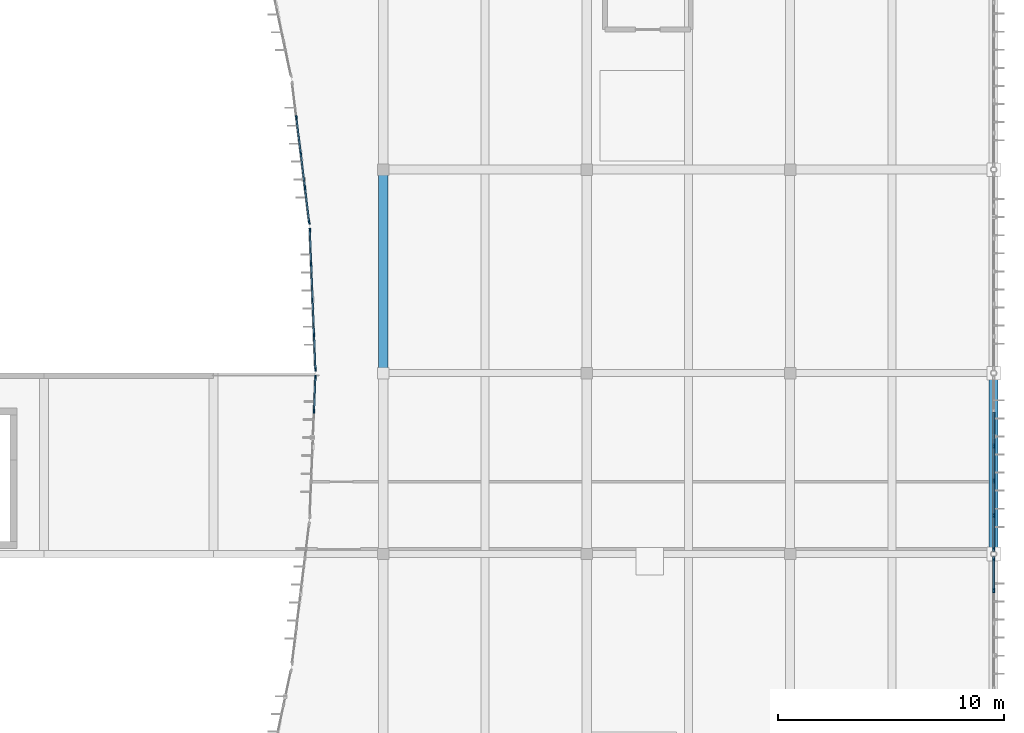
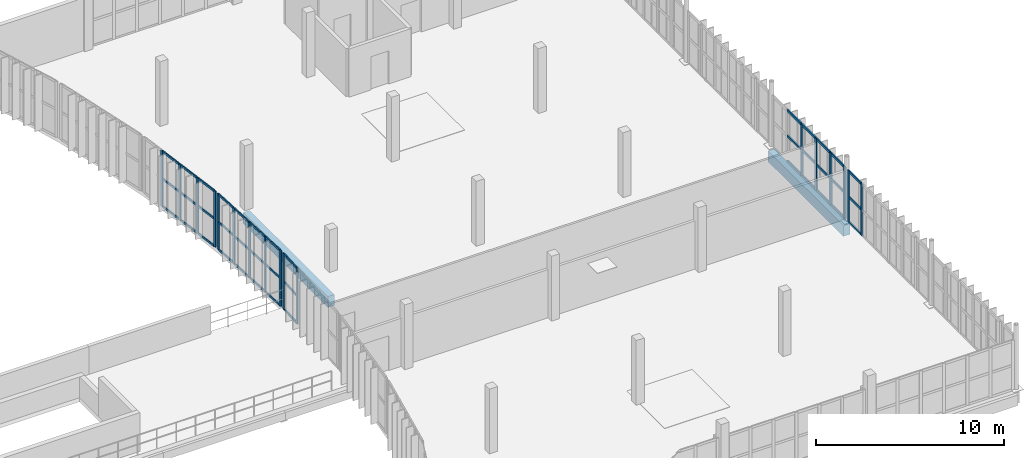
# One storey, part 25 of 61: 56 members, 2 beams, 5 elements without a shape of their own.
"""IFC4 building model written with IfcOpenShell, lengths in metres."""

from ifc_helpers import new_model, si_unit, direction, frame, origin, origin_2d, place, context, subcontext, project, spatial, rectangle, extrude, material, material_profile, profile_set, type_object, element, aggregate, save


model = new_model("IFC4")

# Units and contexts
model_context = context("Model", 3, precision=1e-05, world=origin(), true_north=direction((0.0, 1.0)))
body_context = subcontext(model_context, "Body", "Model", "MODEL_VIEW")
ifc_project = project(units=[si_unit("LENGTHUNIT", "METRE"), si_unit("AREAUNIT", "SQUARE_METRE"), si_unit("VOLUMEUNIT", "CUBIC_METRE"), si_unit("PLANEANGLEUNIT", "RADIAN"), si_unit("MASSUNIT", "GRAM", prefix="KILO")], contexts=[model_context])

# Site, building, storey
site_placement = place(None, origin())
site = spatial("IfcSite", under=ifc_project, at=site_placement, CompositionType="ELEMENT")
building_placement = place(site_placement, origin())
building = spatial("IfcBuilding", under=site, at=building_placement, Name="Vourika Railside Aquatics Centre", CompositionType="ELEMENT")
storey_placement = place(building_placement, frame((0.0, 0.0, 9.300048828125)))
storey = spatial("IfcBuildingStorey", under=building, at=storey_placement, Name="L02", CompositionType="ELEMENT", Elevation=9.300048828125)

# Beams
ifc_material_1 = material(Name="Concrete C35/45", Category="concrete")
ifc_material_profile_1 = material_profile(ifc_material_1, rectangle(XDim=0.39990234375, YDim=0.699951171875, at=origin_2d()), Name="RC 400x700")
ifc_profile_set_1 = profile_set([ifc_material_profile_1], Name="Concrete C35/45")
beam_type = type_object("IfcBeamType", Name="BM-GIRD-400x700", PredefinedType="BEAM", material=ifc_profile_set_1)
beam_1_placement = place(storey_placement, frame((141.0, 66.0, -0.630126953125), z_axis=(0.0, 1.0, 0.0), x_axis=(-1.0, 0.0, 0.0)))
element("IfcBeam", 1, at=beam_1_placement, inside=storey, type_object=beam_type, Name="Floor Girder GY-L02-262", PredefinedType="BEAM", context=body_context, shape_type="SweptSolid", body=[
    extrude(rectangle(XDim=0.39990234375, YDim=0.699951171875, at=origin_2d()), origin(), (0.0, 0.0, 1.0), 9.0),
])
beam_2_placement = place(storey_placement, frame((168.0, 58.0, -0.630126953125), z_axis=(0.0, 1.0, 0.0), x_axis=(-1.0, 0.0, 0.0)))
element("IfcBeam", 2, at=beam_2_placement, inside=storey, type_object=beam_type, Name="Floor Girder GY-L02-283", PredefinedType="BEAM", context=body_context, shape_type="SweptSolid", body=[
    extrude(rectangle(XDim=0.39990234375, YDim=0.699951171875, at=origin_2d()), origin(), (0.0, 0.0, 1.0), 8.0),
])

# Curtain wall, members
ifc_material_2 = material(Name="Anodized thermally broken aluminium", Category="aluminium")
curtain_wall_type_1 = type_object("IfcCurtainWallType", Name="CW-FOYC2", PredefinedType="NOTDEFINED", material=ifc_material_2)
curtain_wall_1_placement = place(storey_placement, origin())
curtain_wall_1 = element("IfcCurtainWall", 3, at=curtain_wall_1_placement, inside=storey, type_object=curtain_wall_type_1, Name="Curved Courtyard Foyer Curtain Wall L02-4", PredefinedType="NOTDEFINED")
ifc_material_3 = material(Name="Anodized aluminium mullion", Category="aluminium")
ifc_material_profile_2 = material_profile(ifc_material_3, rectangle(XDim=0.068115234375, YDim=0.175048828125, at=origin_2d()), Name="ALU-M 68x175")
ifc_profile_set_2 = profile_set([ifc_material_profile_2], Name="Anodized aluminium mullion")
member_type_1 = type_object("IfcMemberType", Name="CWM-FOYC2", PredefinedType="MULLION", material=ifc_profile_set_2)
member_1_placement = place(storey_placement, frame((137.99853515625, 65.825927734375, 0.0), z_axis=(0.0, 0.0, 1.0), x_axis=(0.999199675116, -0.040000115606, 0.0)))
member_1 = element("IfcMember", 4, at=member_1_placement, type_object=member_type_1, Name="CW09 mullion 1", PredefinedType="MULLION", context=body_context, shape_type="SweptSolid", body=[
    extrude(rectangle(XDim=0.068115234375, YDim=0.175048828125, at=origin_2d()), origin(), (0.0, 0.0, 1.0), 3.619873046875),
])
member_2_placement = place(storey_placement, frame((137.937744140625, 64.304931640625, 0.0), z_axis=(0.0, 0.0, 1.0), x_axis=(0.999199675116, -0.040000115606, 0.0)))
member_2 = element("IfcMember", 5, at=member_2_placement, type_object=member_type_1, Name="CW09 mullion 2", PredefinedType="MULLION", context=body_context, shape_type="SweptSolid", body=[
    extrude(rectangle(XDim=0.068115234375, YDim=0.175048828125, at=origin_2d()), origin(), (0.0, 0.0, 1.0), 3.619873046875),
])

curtain_wall_2_placement = place(storey_placement, origin())
curtain_wall_2 = element("IfcCurtainWall", 6, at=curtain_wall_2_placement, inside=storey, type_object=curtain_wall_type_1, Name="Curved Courtyard Foyer Curtain Wall L02-5", PredefinedType="NOTDEFINED")
member_3_placement = place(storey_placement, frame((137.75244140625, 72.325927734375, 0.0), z_axis=(0.0, 0.0, 1.0), x_axis=(0.999199675116, 0.040000115606, 0.0)))
member_3 = element("IfcMember", 7, at=member_3_placement, type_object=member_type_1, Name="CW09 mullion 1", PredefinedType="MULLION", context=body_context, shape_type="SweptSolid", body=[
    extrude(rectangle(XDim=0.068115234375, YDim=0.175048828125, at=origin_2d()), origin(), (0.0, 0.0, 1.0), 3.619873046875),
])
member_4_placement = place(storey_placement, frame((137.813232421875, 70.804931640625, 0.0), z_axis=(0.0, 0.0, 1.0), x_axis=(0.999199675116, 0.040000115606, 0.0)))
member_4 = element("IfcMember", 8, at=member_4_placement, type_object=member_type_1, Name="CW09 mullion 2", PredefinedType="MULLION", context=body_context, shape_type="SweptSolid", body=[
    extrude(rectangle(XDim=0.068115234375, YDim=0.175048828125, at=origin_2d()), origin(), (0.0, 0.0, 1.0), 3.619873046875),
])
member_5_placement = place(storey_placement, frame((137.87548828125, 69.25, 0.0), z_axis=(0.0, 0.0, 1.0), x_axis=(0.999199675116, 0.040000115606, 0.0)))
member_5 = element("IfcMember", 9, at=member_5_placement, type_object=member_type_1, Name="CW09 mullion 3", PredefinedType="MULLION", context=body_context, shape_type="SweptSolid", body=[
    extrude(rectangle(XDim=0.068115234375, YDim=0.175048828125, at=origin_2d()), origin(), (0.0, 0.0, 1.0), 3.619873046875),
])
member_6_placement = place(storey_placement, frame((137.937744140625, 67.695068359375, 0.0), z_axis=(0.0, 0.0, 1.0), x_axis=(0.999199675116, 0.040000115606, 0.0)))
member_6 = element("IfcMember", 10, at=member_6_placement, type_object=member_type_1, Name="CW09 mullion 4", PredefinedType="MULLION", context=body_context, shape_type="SweptSolid", body=[
    extrude(rectangle(XDim=0.068115234375, YDim=0.175048828125, at=origin_2d()), origin(), (0.0, 0.0, 1.0), 3.619873046875),
])
member_7_placement = place(storey_placement, frame((137.99853515625, 66.174072265625, 0.0), z_axis=(0.0, 0.0, 1.0), x_axis=(0.999199675116, 0.040000115606, 0.0)))
member_7 = element("IfcMember", 11, at=member_7_placement, type_object=member_type_1, Name="CW09 mullion 5", PredefinedType="MULLION", context=body_context, shape_type="SweptSolid", body=[
    extrude(rectangle(XDim=0.068115234375, YDim=0.175048828125, at=origin_2d()), origin(), (0.0, 0.0, 1.0), 3.619873046875),
])

curtain_wall_3_placement = place(storey_placement, origin())
curtain_wall_3 = element("IfcCurtainWall", 12, at=curtain_wall_3_placement, inside=storey, type_object=curtain_wall_type_1, Name="Curved Courtyard Foyer Curtain Wall L02-6", PredefinedType="NOTDEFINED")
member_8_placement = place(storey_placement, frame((137.158203125, 77.304931640625, 0.0), z_axis=(0.0, 0.0, 1.0), x_axis=(0.992598563525, 0.121441721361, 0.0)))
member_8 = element("IfcMember", 13, at=member_8_placement, type_object=member_type_1, Name="CW09 mullion 2", PredefinedType="MULLION", context=body_context, shape_type="SweptSolid", body=[
    extrude(rectangle(XDim=0.068115234375, YDim=0.175048828125, at=origin_2d()), origin(), (0.0, 0.0, 1.0), 3.619873046875),
])
member_9_placement = place(storey_placement, frame((137.348388671875, 75.75, 0.0), z_axis=(0.0, 0.0, 1.0), x_axis=(0.992598563525, 0.121441721361, 0.0)))
member_9 = element("IfcMember", 14, at=member_9_placement, type_object=member_type_1, Name="CW09 mullion 3", PredefinedType="MULLION", context=body_context, shape_type="SweptSolid", body=[
    extrude(rectangle(XDim=0.068115234375, YDim=0.175048828125, at=origin_2d()), origin(), (0.0, 0.0, 1.0), 3.619873046875),
])
member_10_placement = place(storey_placement, frame((137.538818359375, 74.195068359375, 0.0), z_axis=(0.0, 0.0, 1.0), x_axis=(0.992598563525, 0.121441721361, 0.0)))
member_10 = element("IfcMember", 15, at=member_10_placement, type_object=member_type_1, Name="CW09 mullion 4", PredefinedType="MULLION", context=body_context, shape_type="SweptSolid", body=[
    extrude(rectangle(XDim=0.068115234375, YDim=0.175048828125, at=origin_2d()), origin(), (0.0, 0.0, 1.0), 3.619873046875),
])
member_11_placement = place(storey_placement, frame((137.724853515625, 72.673828125, 0.0), z_axis=(0.0, 0.0, 1.0), x_axis=(0.992598563525, 0.121441721361, 0.0)))
member_11 = element("IfcMember", 16, at=member_11_placement, type_object=member_type_1, Name="CW09 mullion 5", PredefinedType="MULLION", context=body_context, shape_type="SweptSolid", body=[
    extrude(rectangle(XDim=0.068115234375, YDim=0.175048828125, at=origin_2d()), origin(), (0.0, 0.0, 1.0), 3.619873046875),
])

curtain_wall_type_2 = type_object("IfcCurtainWallType", Name="CW-FOYE", PredefinedType="NOTDEFINED", material=ifc_material_2)
curtain_wall_4_placement = place(storey_placement, origin())
curtain_wall_4 = element("IfcCurtainWall", 17, at=curtain_wall_4_placement, inside=storey, type_object=curtain_wall_type_2, Name="East Arrival Facade Curtain Wall L02-2", PredefinedType="NOTDEFINED")
ifc_material_profile_3 = material_profile(ifc_material_3, rectangle(XDim=0.074951171875, YDim=0.199951171875, at=origin_2d()), Name="ALU-M 75x200")
ifc_profile_set_3 = profile_set([ifc_material_profile_3], Name="Anodized aluminium mullion")
member_type_2 = type_object("IfcMemberType", Name="CWM-FOYE", PredefinedType="MULLION", material=ifc_profile_set_3)
member_12_placement = place(storey_placement, frame((168.0, 56.388916015625, 0.0), z_axis=(0.0, 0.0, 1.0), x_axis=(-1.0, 0.0, 0.0)))
member_12 = element("IfcMember", 18, at=member_12_placement, type_object=member_type_2, Name="CW10 mullion 6", PredefinedType="MULLION", context=body_context, shape_type="SweptSolid", body=[
    extrude(rectangle(XDim=0.074951171875, YDim=0.199951171875, at=origin_2d()), origin(), (0.0, 0.0, 1.0), 3.369873046875),
])
member_13_placement = place(storey_placement, frame((168.0, 57.7958984375, 0.0), z_axis=(0.0, 0.0, 1.0), x_axis=(-1.0, 0.0, 0.0)))
member_13 = element("IfcMember", 19, at=member_13_placement, type_object=member_type_2, Name="CW10 mullion 7", PredefinedType="MULLION", context=body_context, shape_type="SweptSolid", body=[
    extrude(rectangle(XDim=0.074951171875, YDim=0.199951171875, at=origin_2d()), origin(), (0.0, 0.0, 1.0), 3.369873046875),
])

curtain_wall_5_placement = place(storey_placement, origin())
curtain_wall_5 = element("IfcCurtainWall", 20, at=curtain_wall_5_placement, inside=storey, type_object=curtain_wall_type_2, Name="East Arrival Facade Curtain Wall L02-3", PredefinedType="NOTDEFINED")
member_14_placement = place(storey_placement, frame((168.0, 58.2041015625, 0.0), z_axis=(0.0, 0.0, 1.0), x_axis=(-1.0, 0.0, 0.0)))
member_14 = element("IfcMember", 21, at=member_14_placement, type_object=member_type_2, Name="CW10 mullion 1", PredefinedType="MULLION", context=body_context, shape_type="SweptSolid", body=[
    extrude(rectangle(XDim=0.074951171875, YDim=0.199951171875, at=origin_2d()), origin(), (0.0, 0.0, 1.0), 3.369873046875),
])
member_15_placement = place(storey_placement, frame((168.0, 59.699951171875, 0.0), z_axis=(0.0, 0.0, 1.0), x_axis=(-1.0, 0.0, 0.0)))
member_15 = element("IfcMember", 22, at=member_15_placement, type_object=member_type_2, Name="CW10 mullion 2", PredefinedType="MULLION", context=body_context, shape_type="SweptSolid", body=[
    extrude(rectangle(XDim=0.074951171875, YDim=0.199951171875, at=origin_2d()), origin(), (0.0, 0.0, 1.0), 3.369873046875),
])
member_16_placement = place(storey_placement, frame((168.0, 61.2333984375, 0.0), z_axis=(0.0, 0.0, 1.0), x_axis=(-1.0, 0.0, 0.0)))
member_16 = element("IfcMember", 23, at=member_16_placement, type_object=member_type_2, Name="CW10 mullion 3", PredefinedType="MULLION", context=body_context, shape_type="SweptSolid", body=[
    extrude(rectangle(XDim=0.074951171875, YDim=0.199951171875, at=origin_2d()), origin(), (0.0, 0.0, 1.0), 3.369873046875),
])
member_17_placement = place(storey_placement, frame((168.0, 62.7666015625, 0.0), z_axis=(0.0, 0.0, 1.0), x_axis=(-1.0, 0.0, 0.0)))
member_17 = element("IfcMember", 24, at=member_17_placement, type_object=member_type_2, Name="CW10 mullion 4", PredefinedType="MULLION", context=body_context, shape_type="SweptSolid", body=[
    extrude(rectangle(XDim=0.074951171875, YDim=0.199951171875, at=origin_2d()), origin(), (0.0, 0.0, 1.0), 3.369873046875),
])

# Member
ifc_material_4 = material(Name="Anodized aluminium transom", Category="aluminium")
ifc_material_profile_4 = material_profile(ifc_material_4, rectangle(XDim=0.068115234375, YDim=0.137939453125, at=origin_2d()), Name="ALU-T 68x138")
ifc_profile_set_4 = profile_set([ifc_material_profile_4], Name="Anodized aluminium transom")
member_type_3 = type_object("IfcMemberType", Name="CWT-FOYC2", PredefinedType="USERDEFINED", material=ifc_profile_set_4)
member_18_placement = place(storey_placement, frame((137.997314453125, 65.7919921875, 0.033935546875), z_axis=(-0.039954629672, -0.999201494979, 0.0), x_axis=(0.999201494979, -0.039954629672, 0.0)))
member_18 = element("IfcMember", 25, at=member_18_placement, type_object=member_type_3, Name="CW09 transom 1.1", ObjectType="TRANSOM", PredefinedType="USERDEFINED", context=body_context, shape_type="SweptSolid", body=[
    extrude(rectangle(XDim=0.068115234375, YDim=0.137939453125, at=origin_2d()), origin(), (0.0, 0.0, 1.0), 1.454345703125),
])

member_19_placement = place(storey_placement, frame((137.997314453125, 65.7919921875, 1.81005859375), z_axis=(-0.039954629672, -0.999201494979, 0.0), x_axis=(0.999201494979, -0.039954629672, 0.0)))
member_19 = element("IfcMember", 26, at=member_19_placement, type_object=member_type_3, Name="CW09 transom 1.2", ObjectType="TRANSOM", PredefinedType="USERDEFINED", context=body_context, shape_type="SweptSolid", body=[
    extrude(rectangle(XDim=0.068115234375, YDim=0.137939453125, at=origin_2d()), origin(), (0.0, 0.0, 1.0), 1.454345703125),
])

member_20_placement = place(storey_placement, frame((137.997314453125, 65.7919921875, 3.5859375), z_axis=(-0.039954629672, -0.999201494979, 0.0), x_axis=(0.999201494979, -0.039954629672, 0.0)))
member_20 = element("IfcMember", 27, at=member_20_placement, type_object=member_type_3, Name="CW09 transom 1.3", ObjectType="TRANSOM", PredefinedType="USERDEFINED", context=body_context, shape_type="SweptSolid", body=[
    extrude(rectangle(XDim=0.068115234375, YDim=0.137939453125, at=origin_2d()), origin(), (0.0, 0.0, 1.0), 1.454345703125),
])

aggregate(curtain_wall_1, [member_1, member_2, member_18, member_19, member_20])

member_21_placement = place(storey_placement, frame((137.753662109375, 72.2919921875, 0.033935546875), z_axis=(0.040122236585, -0.999194778875, 0.0), x_axis=(0.999194778875, 0.040122236585, 0.0)))
member_21 = element("IfcMember", 28, at=member_21_placement, type_object=member_type_3, Name="CW09 transom 1.1", ObjectType="TRANSOM", PredefinedType="USERDEFINED", context=body_context, shape_type="SweptSolid", body=[
    extrude(rectangle(XDim=0.068115234375, YDim=0.137939453125, at=origin_2d()), origin(), (0.0, 0.0, 1.0), 1.454345703125),
])

member_22_placement = place(storey_placement, frame((137.753662109375, 72.2919921875, 1.81005859375), z_axis=(0.040122236585, -0.999194778875, 0.0), x_axis=(0.999194778875, 0.040122236585, 0.0)))
member_22 = element("IfcMember", 29, at=member_22_placement, type_object=member_type_3, Name="CW09 transom 1.2", ObjectType="TRANSOM", PredefinedType="USERDEFINED", context=body_context, shape_type="SweptSolid", body=[
    extrude(rectangle(XDim=0.068115234375, YDim=0.137939453125, at=origin_2d()), origin(), (0.0, 0.0, 1.0), 1.454345703125),
])

member_23_placement = place(storey_placement, frame((137.753662109375, 72.2919921875, 3.5859375), z_axis=(0.040122236585, -0.999194778875, 0.0), x_axis=(0.999194778875, 0.040122236585, 0.0)))
member_23 = element("IfcMember", 30, at=member_23_placement, type_object=member_type_3, Name="CW09 transom 1.3", ObjectType="TRANSOM", PredefinedType="USERDEFINED", context=body_context, shape_type="SweptSolid", body=[
    extrude(rectangle(XDim=0.068115234375, YDim=0.137939453125, at=origin_2d()), origin(), (0.0, 0.0, 1.0), 1.454345703125),
])

member_24_placement = place(storey_placement, frame((137.814697265625, 70.77099609375, 0.033935546875), z_axis=(0.039863216303, -0.999205146097, 0.0), x_axis=(0.999205146097, 0.039863216303, 0.0)))
member_24 = element("IfcMember", 31, at=member_24_placement, type_object=member_type_3, Name="CW09 transom 2.1", ObjectType="TRANSOM", PredefinedType="USERDEFINED", context=body_context, shape_type="SweptSolid", body=[
    extrude(rectangle(XDim=0.068115234375, YDim=0.137939453125, at=origin_2d()), origin(), (0.0, 0.0, 1.0), 1.48828125),
])

member_25_placement = place(storey_placement, frame((137.814697265625, 70.77099609375, 1.81005859375), z_axis=(0.039863216303, -0.999205146097, 0.0), x_axis=(0.999205146097, 0.039863216303, 0.0)))
member_25 = element("IfcMember", 32, at=member_25_placement, type_object=member_type_3, Name="CW09 transom 2.2", ObjectType="TRANSOM", PredefinedType="USERDEFINED", context=body_context, shape_type="SweptSolid", body=[
    extrude(rectangle(XDim=0.068115234375, YDim=0.137939453125, at=origin_2d()), origin(), (0.0, 0.0, 1.0), 1.48828125),
])

member_26_placement = place(storey_placement, frame((137.814697265625, 70.77099609375, 3.5859375), z_axis=(0.039863216303, -0.999205146097, 0.0), x_axis=(0.999205146097, 0.039863216303, 0.0)))
member_26 = element("IfcMember", 33, at=member_26_placement, type_object=member_type_3, Name="CW09 transom 2.3", ObjectType="TRANSOM", PredefinedType="USERDEFINED", context=body_context, shape_type="SweptSolid", body=[
    extrude(rectangle(XDim=0.068115234375, YDim=0.137939453125, at=origin_2d()), origin(), (0.0, 0.0, 1.0), 1.48828125),
])

member_27_placement = place(storey_placement, frame((137.876953125, 69.216064453125, 0.033935546875), z_axis=(0.039863216303, -0.999205146097, 0.0), x_axis=(0.999205146097, 0.039863216303, 0.0)))
member_27 = element("IfcMember", 34, at=member_27_placement, type_object=member_type_3, Name="CW09 transom 3.1", ObjectType="TRANSOM", PredefinedType="USERDEFINED", context=body_context, shape_type="SweptSolid", body=[
    extrude(rectangle(XDim=0.068115234375, YDim=0.137939453125, at=origin_2d()), origin(), (0.0, 0.0, 1.0), 1.48828125),
])

member_28_placement = place(storey_placement, frame((137.876953125, 69.216064453125, 1.81005859375), z_axis=(0.039863216303, -0.999205146097, 0.0), x_axis=(0.999205146097, 0.039863216303, 0.0)))
member_28 = element("IfcMember", 35, at=member_28_placement, type_object=member_type_3, Name="CW09 transom 3.2", ObjectType="TRANSOM", PredefinedType="USERDEFINED", context=body_context, shape_type="SweptSolid", body=[
    extrude(rectangle(XDim=0.068115234375, YDim=0.137939453125, at=origin_2d()), origin(), (0.0, 0.0, 1.0), 1.48828125),
])

member_29_placement = place(storey_placement, frame((137.876953125, 69.216064453125, 3.5859375), z_axis=(0.039863216303, -0.999205146097, 0.0), x_axis=(0.999205146097, 0.039863216303, 0.0)))
member_29 = element("IfcMember", 36, at=member_29_placement, type_object=member_type_3, Name="CW09 transom 3.3", ObjectType="TRANSOM", PredefinedType="USERDEFINED", context=body_context, shape_type="SweptSolid", body=[
    extrude(rectangle(XDim=0.068115234375, YDim=0.137939453125, at=origin_2d()), origin(), (0.0, 0.0, 1.0), 1.48828125),
])

member_30_placement = place(storey_placement, frame((137.939208984375, 67.6611328125, 0.033935546875), z_axis=(0.039954629672, -0.999201494979, 0.0), x_axis=(0.999201494979, 0.039954629672, 0.0)))
member_30 = element("IfcMember", 37, at=member_30_placement, type_object=member_type_3, Name="CW09 transom 4.1", ObjectType="TRANSOM", PredefinedType="USERDEFINED", context=body_context, shape_type="SweptSolid", body=[
    extrude(rectangle(XDim=0.068115234375, YDim=0.137939453125, at=origin_2d()), origin(), (0.0, 0.0, 1.0), 1.454345703125),
])

member_31_placement = place(storey_placement, frame((137.939208984375, 67.6611328125, 1.81005859375), z_axis=(0.039954629672, -0.999201494979, 0.0), x_axis=(0.999201494979, 0.039954629672, 0.0)))
member_31 = element("IfcMember", 38, at=member_31_placement, type_object=member_type_3, Name="CW09 transom 4.2", ObjectType="TRANSOM", PredefinedType="USERDEFINED", context=body_context, shape_type="SweptSolid", body=[
    extrude(rectangle(XDim=0.068115234375, YDim=0.137939453125, at=origin_2d()), origin(), (0.0, 0.0, 1.0), 1.454345703125),
])

member_32_placement = place(storey_placement, frame((137.939208984375, 67.6611328125, 3.5859375), z_axis=(0.039954629672, -0.999201494979, 0.0), x_axis=(0.999201494979, 0.039954629672, 0.0)))
member_32 = element("IfcMember", 39, at=member_32_placement, type_object=member_type_3, Name="CW09 transom 4.3", ObjectType="TRANSOM", PredefinedType="USERDEFINED", context=body_context, shape_type="SweptSolid", body=[
    extrude(rectangle(XDim=0.068115234375, YDim=0.137939453125, at=origin_2d()), origin(), (0.0, 0.0, 1.0), 1.454345703125),
])

aggregate(curtain_wall_2, [member_3, member_4, member_5, member_6, member_7, member_21, member_22, member_23, member_24, member_25, member_26, member_27, member_28, member_29, member_30, member_31, member_32])

member_33_placement = place(storey_placement, frame((137.162353515625, 77.271240234375, 0.033935546875), z_axis=(0.121528088418, -0.992587992938, 0.0), x_axis=(0.992587992938, 0.121528088418, 0.0)))
member_33 = element("IfcMember", 40, at=member_33_placement, type_object=member_type_3, Name="CW09 transom 2.1", ObjectType="TRANSOM", PredefinedType="USERDEFINED", context=body_context, shape_type="SweptSolid", body=[
    extrude(rectangle(XDim=0.068115234375, YDim=0.137939453125, at=origin_2d()), origin(), (0.0, 0.0, 1.0), 1.49853515625),
])

member_34_placement = place(storey_placement, frame((137.162353515625, 77.271240234375, 1.81005859375), z_axis=(0.121528088418, -0.992587992938, 0.0), x_axis=(0.992587992938, 0.121528088418, 0.0)))
member_34 = element("IfcMember", 41, at=member_34_placement, type_object=member_type_3, Name="CW09 transom 2.2", ObjectType="TRANSOM", PredefinedType="USERDEFINED", context=body_context, shape_type="SweptSolid", body=[
    extrude(rectangle(XDim=0.068115234375, YDim=0.137939453125, at=origin_2d()), origin(), (0.0, 0.0, 1.0), 1.49853515625),
])

member_35_placement = place(storey_placement, frame((137.162353515625, 77.271240234375, 3.5859375), z_axis=(0.121528088418, -0.992587992938, 0.0), x_axis=(0.992587992938, 0.121528088418, 0.0)))
member_35 = element("IfcMember", 42, at=member_35_placement, type_object=member_type_3, Name="CW09 transom 2.3", ObjectType="TRANSOM", PredefinedType="USERDEFINED", context=body_context, shape_type="SweptSolid", body=[
    extrude(rectangle(XDim=0.068115234375, YDim=0.137939453125, at=origin_2d()), origin(), (0.0, 0.0, 1.0), 1.49853515625),
])

member_36_placement = place(storey_placement, frame((137.3525390625, 75.71630859375, 0.033935546875), z_axis=(0.121528088418, -0.992587992938, 0.0), x_axis=(0.992587992938, 0.121528088418, 0.0)))
member_36 = element("IfcMember", 43, at=member_36_placement, type_object=member_type_3, Name="CW09 transom 3.1", ObjectType="TRANSOM", PredefinedType="USERDEFINED", context=body_context, shape_type="SweptSolid", body=[
    extrude(rectangle(XDim=0.068115234375, YDim=0.137939453125, at=origin_2d()), origin(), (0.0, 0.0, 1.0), 1.49853515625),
])

member_37_placement = place(storey_placement, frame((137.3525390625, 75.71630859375, 1.81005859375), z_axis=(0.121528088418, -0.992587992938, 0.0), x_axis=(0.992587992938, 0.121528088418, 0.0)))
member_37 = element("IfcMember", 44, at=member_37_placement, type_object=member_type_3, Name="CW09 transom 3.2", ObjectType="TRANSOM", PredefinedType="USERDEFINED", context=body_context, shape_type="SweptSolid", body=[
    extrude(rectangle(XDim=0.068115234375, YDim=0.137939453125, at=origin_2d()), origin(), (0.0, 0.0, 1.0), 1.49853515625),
])

member_38_placement = place(storey_placement, frame((137.3525390625, 75.71630859375, 3.5859375), z_axis=(0.121528088418, -0.992587992938, 0.0), x_axis=(0.992587992938, 0.121528088418, 0.0)))
member_38 = element("IfcMember", 45, at=member_38_placement, type_object=member_type_3, Name="CW09 transom 3.3", ObjectType="TRANSOM", PredefinedType="USERDEFINED", context=body_context, shape_type="SweptSolid", body=[
    extrude(rectangle(XDim=0.068115234375, YDim=0.137939453125, at=origin_2d()), origin(), (0.0, 0.0, 1.0), 1.49853515625),
])

member_39_placement = place(storey_placement, frame((137.54296875, 74.1611328125, 0.033935546875), z_axis=(0.121366882428, -0.992607717001, 0.0), x_axis=(0.992607717001, 0.121366882428, 0.0)))
member_39 = element("IfcMember", 46, at=member_39_placement, type_object=member_type_3, Name="CW09 transom 4.1", ObjectType="TRANSOM", PredefinedType="USERDEFINED", context=body_context, shape_type="SweptSolid", body=[
    extrude(rectangle(XDim=0.068115234375, YDim=0.137939453125, at=origin_2d()), origin(), (0.0, 0.0, 1.0), 1.46435546875),
])

member_40_placement = place(storey_placement, frame((137.54296875, 74.1611328125, 1.81005859375), z_axis=(0.121366882428, -0.992607717001, 0.0), x_axis=(0.992607717001, 0.121366882428, 0.0)))
member_40 = element("IfcMember", 47, at=member_40_placement, type_object=member_type_3, Name="CW09 transom 4.2", ObjectType="TRANSOM", PredefinedType="USERDEFINED", context=body_context, shape_type="SweptSolid", body=[
    extrude(rectangle(XDim=0.068115234375, YDim=0.137939453125, at=origin_2d()), origin(), (0.0, 0.0, 1.0), 1.46435546875),
])

member_41_placement = place(storey_placement, frame((137.54296875, 74.1611328125, 3.5859375), z_axis=(0.121366882428, -0.992607717001, 0.0), x_axis=(0.992607717001, 0.121366882428, 0.0)))
member_41 = element("IfcMember", 48, at=member_41_placement, type_object=member_type_3, Name="CW09 transom 4.3", ObjectType="TRANSOM", PredefinedType="USERDEFINED", context=body_context, shape_type="SweptSolid", body=[
    extrude(rectangle(XDim=0.068115234375, YDim=0.137939453125, at=origin_2d()), origin(), (0.0, 0.0, 1.0), 1.46435546875),
])

aggregate(curtain_wall_3, [member_8, member_9, member_10, member_11, member_33, member_34, member_35, member_36, member_37, member_38, member_39, member_40, member_41])

ifc_material_profile_5 = material_profile(ifc_material_4, rectangle(XDim=0.074951171875, YDim=0.157958984375, at=origin_2d()), Name="ALU-T 75x158")
ifc_profile_set_5 = profile_set([ifc_material_profile_5], Name="Anodized aluminium transom")
member_type_4 = type_object("IfcMemberType", Name="CWT-FOYE", PredefinedType="USERDEFINED", material=ifc_profile_set_5)
member_42_placement = place(storey_placement, frame((168.0, 56.426513671875, 0.037353515625), z_axis=(0.0, 1.0, 0.0), x_axis=(-1.0, 0.0, 0.0)))
member_42 = element("IfcMember", 49, at=member_42_placement, type_object=member_type_4, Name="CW10 transom 6.1", ObjectType="TRANSOM", PredefinedType="USERDEFINED", context=body_context, shape_type="SweptSolid", body=[
    extrude(rectangle(XDim=0.074951171875, YDim=0.157958984375, at=origin_2d()), origin(), (0.0, 0.0, 1.0), 1.33203125),
])

member_43_placement = place(storey_placement, frame((168.0, 56.426513671875, 1.68505859375), z_axis=(0.0, 1.0, 0.0), x_axis=(-1.0, 0.0, 0.0)))
member_43 = element("IfcMember", 50, at=member_43_placement, type_object=member_type_4, Name="CW10 transom 6.2", ObjectType="TRANSOM", PredefinedType="USERDEFINED", context=body_context, shape_type="SweptSolid", body=[
    extrude(rectangle(XDim=0.074951171875, YDim=0.157958984375, at=origin_2d()), origin(), (0.0, 0.0, 1.0), 1.33203125),
])

member_44_placement = place(storey_placement, frame((168.0, 56.426513671875, 3.33251953125), z_axis=(0.0, 1.0, 0.0), x_axis=(-1.0, 0.0, 0.0)))
member_44 = element("IfcMember", 51, at=member_44_placement, type_object=member_type_4, Name="CW10 transom 6.3", ObjectType="TRANSOM", PredefinedType="USERDEFINED", context=body_context, shape_type="SweptSolid", body=[
    extrude(rectangle(XDim=0.074951171875, YDim=0.157958984375, at=origin_2d()), origin(), (0.0, 0.0, 1.0), 1.33203125),
])

aggregate(curtain_wall_4, [member_12, member_13, member_42, member_43, member_44])

member_45_placement = place(storey_placement, frame((168.0, 58.241455078125, 0.037353515625), z_axis=(0.0, 1.0, 0.0), x_axis=(-1.0, 0.0, 0.0)))
member_45 = element("IfcMember", 52, at=member_45_placement, type_object=member_type_4, Name="CW10 transom 1.1", ObjectType="TRANSOM", PredefinedType="USERDEFINED", context=body_context, shape_type="SweptSolid", body=[
    extrude(rectangle(XDim=0.074951171875, YDim=0.157958984375, at=origin_2d()), origin(), (0.0, 0.0, 1.0), 1.4208984375),
])

member_46_placement = place(storey_placement, frame((168.0, 58.241455078125, 1.68505859375), z_axis=(0.0, 1.0, 0.0), x_axis=(-1.0, 0.0, 0.0)))
member_46 = element("IfcMember", 53, at=member_46_placement, type_object=member_type_4, Name="CW10 transom 1.2", ObjectType="TRANSOM", PredefinedType="USERDEFINED", context=body_context, shape_type="SweptSolid", body=[
    extrude(rectangle(XDim=0.074951171875, YDim=0.157958984375, at=origin_2d()), origin(), (0.0, 0.0, 1.0), 1.4208984375),
])

member_47_placement = place(storey_placement, frame((168.0, 58.241455078125, 3.33251953125), z_axis=(0.0, 1.0, 0.0), x_axis=(-1.0, 0.0, 0.0)))
member_47 = element("IfcMember", 54, at=member_47_placement, type_object=member_type_4, Name="CW10 transom 1.3", ObjectType="TRANSOM", PredefinedType="USERDEFINED", context=body_context, shape_type="SweptSolid", body=[
    extrude(rectangle(XDim=0.074951171875, YDim=0.157958984375, at=origin_2d()), origin(), (0.0, 0.0, 1.0), 1.4208984375),
])

member_48_placement = place(storey_placement, frame((168.0, 59.7373046875, 0.037353515625), z_axis=(0.0, 1.0, 0.0), x_axis=(-1.0, 0.0, 0.0)))
member_48 = element("IfcMember", 55, at=member_48_placement, type_object=member_type_4, Name="CW10 transom 2.1", ObjectType="TRANSOM", PredefinedType="USERDEFINED", context=body_context, shape_type="SweptSolid", body=[
    extrude(rectangle(XDim=0.074951171875, YDim=0.157958984375, at=origin_2d()), origin(), (0.0, 0.0, 1.0), 1.45849609375),
])

member_49_placement = place(storey_placement, frame((168.0, 59.7373046875, 1.68505859375), z_axis=(0.0, 1.0, 0.0), x_axis=(-1.0, 0.0, 0.0)))
member_49 = element("IfcMember", 56, at=member_49_placement, type_object=member_type_4, Name="CW10 transom 2.2", ObjectType="TRANSOM", PredefinedType="USERDEFINED", context=body_context, shape_type="SweptSolid", body=[
    extrude(rectangle(XDim=0.074951171875, YDim=0.157958984375, at=origin_2d()), origin(), (0.0, 0.0, 1.0), 1.45849609375),
])

member_50_placement = place(storey_placement, frame((168.0, 59.7373046875, 3.33251953125), z_axis=(0.0, 1.0, 0.0), x_axis=(-1.0, 0.0, 0.0)))
member_50 = element("IfcMember", 57, at=member_50_placement, type_object=member_type_4, Name="CW10 transom 2.3", ObjectType="TRANSOM", PredefinedType="USERDEFINED", context=body_context, shape_type="SweptSolid", body=[
    extrude(rectangle(XDim=0.074951171875, YDim=0.157958984375, at=origin_2d()), origin(), (0.0, 0.0, 1.0), 1.45849609375),
])

member_51_placement = place(storey_placement, frame((168.0, 61.270751953125, 0.037353515625), z_axis=(0.0, 1.0, 0.0), x_axis=(-1.0, 0.0, 0.0)))
member_51 = element("IfcMember", 58, at=member_51_placement, type_object=member_type_4, Name="CW10 transom 3.1", ObjectType="TRANSOM", PredefinedType="USERDEFINED", context=body_context, shape_type="SweptSolid", body=[
    extrude(rectangle(XDim=0.074951171875, YDim=0.157958984375, at=origin_2d()), origin(), (0.0, 0.0, 1.0), 1.45849609375),
])

member_52_placement = place(storey_placement, frame((168.0, 61.270751953125, 1.68505859375), z_axis=(0.0, 1.0, 0.0), x_axis=(-1.0, 0.0, 0.0)))
member_52 = element("IfcMember", 59, at=member_52_placement, type_object=member_type_4, Name="CW10 transom 3.2", ObjectType="TRANSOM", PredefinedType="USERDEFINED", context=body_context, shape_type="SweptSolid", body=[
    extrude(rectangle(XDim=0.074951171875, YDim=0.157958984375, at=origin_2d()), origin(), (0.0, 0.0, 1.0), 1.45849609375),
])

member_53_placement = place(storey_placement, frame((168.0, 61.270751953125, 3.33251953125), z_axis=(0.0, 1.0, 0.0), x_axis=(-1.0, 0.0, 0.0)))
member_53 = element("IfcMember", 60, at=member_53_placement, type_object=member_type_4, Name="CW10 transom 3.3", ObjectType="TRANSOM", PredefinedType="USERDEFINED", context=body_context, shape_type="SweptSolid", body=[
    extrude(rectangle(XDim=0.074951171875, YDim=0.157958984375, at=origin_2d()), origin(), (0.0, 0.0, 1.0), 1.45849609375),
])

member_54_placement = place(storey_placement, frame((168.0, 62.80419921875, 0.037353515625), z_axis=(0.0, 1.0, 0.0), x_axis=(-1.0, 0.0, 0.0)))
member_54 = element("IfcMember", 61, at=member_54_placement, type_object=member_type_4, Name="CW10 transom 4.1", ObjectType="TRANSOM", PredefinedType="USERDEFINED", context=body_context, shape_type="SweptSolid", body=[
    extrude(rectangle(XDim=0.074951171875, YDim=0.157958984375, at=origin_2d()), origin(), (0.0, 0.0, 1.0), 1.45849609375),
])

member_55_placement = place(storey_placement, frame((168.0, 62.80419921875, 1.68505859375), z_axis=(0.0, 1.0, 0.0), x_axis=(-1.0, 0.0, 0.0)))
member_55 = element("IfcMember", 62, at=member_55_placement, type_object=member_type_4, Name="CW10 transom 4.2", ObjectType="TRANSOM", PredefinedType="USERDEFINED", context=body_context, shape_type="SweptSolid", body=[
    extrude(rectangle(XDim=0.074951171875, YDim=0.157958984375, at=origin_2d()), origin(), (0.0, 0.0, 1.0), 1.45849609375),
])

member_56_placement = place(storey_placement, frame((168.0, 62.80419921875, 3.33251953125), z_axis=(0.0, 1.0, 0.0), x_axis=(-1.0, 0.0, 0.0)))
member_56 = element("IfcMember", 63, at=member_56_placement, type_object=member_type_4, Name="CW10 transom 4.3", ObjectType="TRANSOM", PredefinedType="USERDEFINED", context=body_context, shape_type="SweptSolid", body=[
    extrude(rectangle(XDim=0.074951171875, YDim=0.157958984375, at=origin_2d()), origin(), (0.0, 0.0, 1.0), 1.45849609375),
])

aggregate(curtain_wall_5, [member_14, member_15, member_16, member_17, member_45, member_46, member_47, member_48, member_49, member_50, member_51, member_52, member_53, member_54, member_55, member_56])

save(model, "model.ifc")
